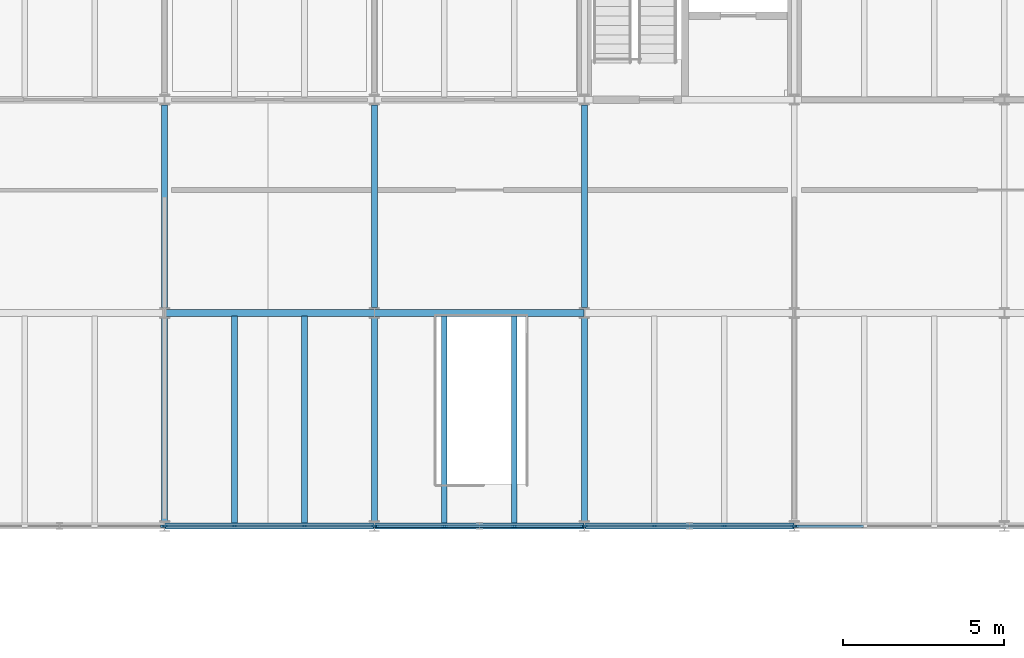
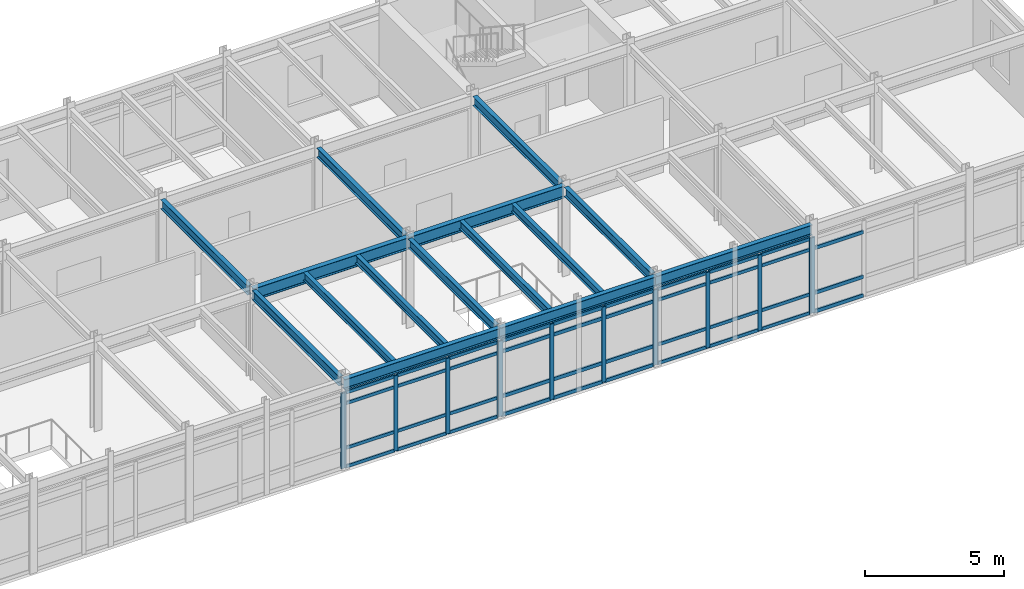
# One storey, part 80 of 144: 53 members, 15 beams, 5 elements without a shape of their own.
"""IFC4 building model written with IfcOpenShell, lengths in metres."""

from ifc_helpers import new_model, si_unit, direction, frame, origin, origin_2d, place, context, subcontext, project, spatial, rectangle, i_section, extrude, material, layer, layer_set, material_profile, profile_set, type_object, element, aggregate, save


model = new_model("IFC4")

# Units and contexts
model_context = context("Model", 3, precision=1e-05, world=origin(), true_north=direction((0.0, 1.0)))
body_context = subcontext(model_context, "Body", "Model", "MODEL_VIEW")
ifc_project = project(units=[si_unit("LENGTHUNIT", "METRE"), si_unit("AREAUNIT", "SQUARE_METRE"), si_unit("VOLUMEUNIT", "CUBIC_METRE"), si_unit("PLANEANGLEUNIT", "RADIAN"), si_unit("MASSUNIT", "GRAM", prefix="KILO")], contexts=[model_context])

# Site, building, storey
site_placement = place(None, origin())
site = spatial("IfcSite", under=ifc_project, at=site_placement, CompositionType="ELEMENT")
building_placement = place(site_placement, origin())
building = spatial("IfcBuilding", under=site, at=building_placement, Name="Trelmorton Wharf Fire Station", CompositionType="ELEMENT")
storey_placement = place(building_placement, frame((0.0, 0.0, 5.39990234375)))
storey = spatial("IfcBuildingStorey", under=building, at=storey_placement, Name="L01", CompositionType="ELEMENT", Elevation=5.39990234375)

# Beams
ifc_material_1 = material(Name="Steel Grade 350", Category="steel")
ifc_material_profile_1 = material_profile(ifc_material_1, i_section(OverallWidth=0.177978515625, OverallDepth=0.406005859375, WebThickness=0.0078125, FlangeThickness=0.0126953125, FilletRadius=0.011474609375, at=origin_2d()), Name="410UB59.7")
ifc_profile_set_1 = profile_set([ifc_material_profile_1], Name="Steel Grade 350")
beam_type_1 = type_object("IfcBeamType", Name="BM_410UB60", PredefinedType="BEAM", material=ifc_profile_set_1)
for number, where, z_axis, x_axis, name in (
    (1, (130.0, 7.95947265625, 3.72705078125), (0.0, 1.0, 0.0), (-1.0, 0.0, 0.0), "BM-L01-0646"),
    (2, (130.0, 14.5595703125, 3.72705078125), (0.0, 1.0, 0.0), (-1.0, 0.0, 0.0), "BM-L01-0647"),
    (3, (136.5, 7.95947265625, 3.72705078125), (0.0, 1.0, 0.0), (-1.0, 0.0, 0.0), "BM-L01-0652"),
    (4, (136.5, 14.5595703125, 3.72705078125), (0.0, 1.0, 0.0), (-1.0, 0.0, 0.0), "BM-L01-0653"),
    (5, (143.0, 7.95947265625, 3.72705078125), (0.0, 1.0, 0.0), (-1.0, 0.0, 0.0), "BM-L01-0658"),
    (6, (143.0, 14.5595703125, 3.72705078125), (0.0, 1.0, 0.0), (-1.0, 0.0, 0.0), "BM-L01-0659"),
):
    element("IfcBeam", number, at=place(storey_placement, frame(where, z_axis=z_axis, x_axis=x_axis)), inside=storey, type_object=beam_type_1, Name=name, PredefinedType="BEAM", context=body_context, shape_type="SweptSolid", body=[
        extrude(i_section(OverallWidth=0.177978515625, OverallDepth=0.406005859375, WebThickness=0.0078125, FlangeThickness=0.0126953125, FilletRadius=0.011474609375, at=origin_2d()), origin(), (0.0, 0.0, 1.0), 6.281005859375),
    ])
ifc_material_profile_2 = material_profile(ifc_material_1, i_section(OverallWidth=0.208984375, OverallDepth=0.528076171875, WebThickness=0.009521484375, FlangeThickness=0.01318359375, FilletRadius=0.013916015625, at=origin_2d()), Name="530UB82.0")
ifc_profile_set_2 = profile_set([ifc_material_profile_2], Name="Steel Grade 350")
beam_type_2 = type_object("IfcBeamType", Name="BM_530UB82", PredefinedType="BEAM", material=ifc_profile_set_2)
for number, where, z_axis, x_axis, name in (
    (7, (130.005859375, 14.39990234375, 3.666015625), (1.0, 0.0, 0.0), (0.0, 1.0, 0.0), "BM-L01-0429"),
    (8, (136.505859375, 14.39990234375, 3.666015625), (1.0, 0.0, 0.0), (0.0, 1.0, 0.0), "BM-L01-0430"),
):
    element("IfcBeam", number, at=place(storey_placement, frame(where, z_axis=z_axis, x_axis=x_axis)), inside=storey, type_object=beam_type_2, Name=name, PredefinedType="BEAM", context=body_context, shape_type="SweptSolid", body=[
        extrude(i_section(OverallWidth=0.208984375, OverallDepth=0.528076171875, WebThickness=0.009521484375, FlangeThickness=0.01318359375, FilletRadius=0.013916015625, at=origin_2d()), origin(), (0.0, 0.0, 1.0), 6.48828125),
    ])

# Curtain wall, members
ifc_material_2 = material(Name="Anodised aluminium AW-6063", Category="aluminium")
ifc_layer_1 = layer(ifc_material_2, 0.159912109375)
ifc_layer_set_1 = layer_set([ifc_layer_1], Name="Anodised aluminium AW-6063")
curtain_wall_type_1 = type_object("IfcCurtainWallType", Name="CW_CHIC_A", PredefinedType="USERDEFINED", material=ifc_layer_set_1)
curtain_wall_1_placement = place(storey_placement, origin())
curtain_wall_1 = element("IfcCurtainWall", 9, at=curtain_wall_1_placement, inside=storey, type_object=curtain_wall_type_1, Name="CW-V5-L01-041", ObjectType="CHICAGO BAY CURTAIN WALL", PredefinedType="USERDEFINED")
ifc_material_profile_3 = material_profile(ifc_material_2, rectangle(XDim=0.06494140625, YDim=0.159912109375, at=origin_2d()), Name="ALU-65x160")
ifc_profile_set_3 = profile_set([ifc_material_profile_3], Name="Anodised aluminium AW-6063")
member_type_1 = type_object("IfcMemberType", Name="CWM_65x160", PredefinedType="MULLION", material=ifc_profile_set_3)
member_1_placement = place(storey_placement, frame((136.465087890625, 7.800048828125, 0.0), z_axis=(0.0, 0.0, 1.0), x_axis=(0.0, -1.0, 0.0)))
member_1 = element("IfcMember", 10, at=member_1_placement, type_object=member_type_1, Name="CW1 mullion 1", PredefinedType="MULLION", context=body_context, shape_type="SweptSolid", body=[
    extrude(rectangle(XDim=0.06494140625, YDim=0.159912109375, at=origin_2d()), origin(), (0.0, 0.0, 1.0), 3.320068359375),
])
member_2_placement = place(storey_placement, frame((134.331787109375, 7.800048828125, 0.0), z_axis=(0.0, 0.0, 1.0), x_axis=(0.0, -1.0, 0.0)))
member_2 = element("IfcMember", 11, at=member_2_placement, type_object=member_type_1, Name="CW1 mullion 2", PredefinedType="MULLION", context=body_context, shape_type="SweptSolid", body=[
    extrude(rectangle(XDim=0.06494140625, YDim=0.159912109375, at=origin_2d()), origin(), (0.0, 0.0, 1.0), 3.320068359375),
])
member_3_placement = place(storey_placement, frame((132.168212890625, 7.800048828125, 0.0), z_axis=(0.0, 0.0, 1.0), x_axis=(0.0, -1.0, 0.0)))
member_3 = element("IfcMember", 12, at=member_3_placement, type_object=member_type_1, Name="CW1 mullion 3", PredefinedType="MULLION", context=body_context, shape_type="SweptSolid", body=[
    extrude(rectangle(XDim=0.06494140625, YDim=0.159912109375, at=origin_2d()), origin(), (0.0, 0.0, 1.0), 3.320068359375),
])
member_4_placement = place(storey_placement, frame((130.034912109375, 7.800048828125, 0.0), z_axis=(0.0, 0.0, 1.0), x_axis=(0.0, -1.0, 0.0)))
member_4 = element("IfcMember", 13, at=member_4_placement, type_object=member_type_1, Name="CW1 mullion 4", PredefinedType="MULLION", context=body_context, shape_type="SweptSolid", body=[
    extrude(rectangle(XDim=0.06494140625, YDim=0.159912109375, at=origin_2d()), origin(), (0.0, 0.0, 1.0), 3.320068359375),
])

curtain_wall_2_placement = place(storey_placement, origin())
curtain_wall_2 = element("IfcCurtainWall", 14, at=curtain_wall_2_placement, inside=storey, type_object=curtain_wall_type_1, Name="CW-V5-L01-043", ObjectType="CHICAGO BAY CURTAIN WALL", PredefinedType="USERDEFINED")
member_5_placement = place(storey_placement, frame((149.465087890625, 7.800048828125, 0.0), z_axis=(0.0, 0.0, 1.0), x_axis=(0.0, -1.0, 0.0)))
member_5 = element("IfcMember", 15, at=member_5_placement, type_object=member_type_1, Name="CW1 mullion 1", PredefinedType="MULLION", context=body_context, shape_type="SweptSolid", body=[
    extrude(rectangle(XDim=0.06494140625, YDim=0.159912109375, at=origin_2d()), origin(), (0.0, 0.0, 1.0), 3.320068359375),
])
member_6_placement = place(storey_placement, frame((147.331787109375, 7.800048828125, 0.0), z_axis=(0.0, 0.0, 1.0), x_axis=(0.0, -1.0, 0.0)))
member_6 = element("IfcMember", 16, at=member_6_placement, type_object=member_type_1, Name="CW1 mullion 2", PredefinedType="MULLION", context=body_context, shape_type="SweptSolid", body=[
    extrude(rectangle(XDim=0.06494140625, YDim=0.159912109375, at=origin_2d()), origin(), (0.0, 0.0, 1.0), 3.320068359375),
])
member_7_placement = place(storey_placement, frame((145.168212890625, 7.800048828125, 0.0), z_axis=(0.0, 0.0, 1.0), x_axis=(0.0, -1.0, 0.0)))
member_7 = element("IfcMember", 17, at=member_7_placement, type_object=member_type_1, Name="CW1 mullion 3", PredefinedType="MULLION", context=body_context, shape_type="SweptSolid", body=[
    extrude(rectangle(XDim=0.06494140625, YDim=0.159912109375, at=origin_2d()), origin(), (0.0, 0.0, 1.0), 3.320068359375),
])
member_8_placement = place(storey_placement, frame((143.034912109375, 7.800048828125, 0.0), z_axis=(0.0, 0.0, 1.0), x_axis=(0.0, -1.0, 0.0)))
member_8 = element("IfcMember", 18, at=member_8_placement, type_object=member_type_1, Name="CW1 mullion 4", PredefinedType="MULLION", context=body_context, shape_type="SweptSolid", body=[
    extrude(rectangle(XDim=0.06494140625, YDim=0.159912109375, at=origin_2d()), origin(), (0.0, 0.0, 1.0), 3.320068359375),
])

# Curtain wall, member
ifc_layer_2 = layer(ifc_material_2, 0.175048828125)
ifc_layer_set_2 = layer_set([ifc_layer_2], Name="Anodised aluminium AW-6063")
curtain_wall_type_2 = type_object("IfcCurtainWallType", Name="CW_CHIC_B", PredefinedType="USERDEFINED", material=ifc_layer_set_2)
curtain_wall_3_placement = place(storey_placement, origin())
curtain_wall_3 = element("IfcCurtainWall", 19, at=curtain_wall_3_placement, inside=storey, type_object=curtain_wall_type_2, Name="CW-V5-L01-040", ObjectType="CHICAGO BAY CURTAIN WALL", PredefinedType="USERDEFINED")
ifc_material_profile_4 = material_profile(ifc_material_2, rectangle(XDim=0.074951171875, YDim=0.175048828125, at=origin_2d()), Name="ALU-75x175")
ifc_profile_set_4 = profile_set([ifc_material_profile_4], Name="Anodised aluminium AW-6063")
member_type_2 = type_object("IfcMemberType", Name="CWM_75x175", PredefinedType="MULLION", material=ifc_profile_set_4)
member_9_placement = place(storey_placement, frame((129.965087890625, 7.800048828125, 0.0), z_axis=(0.0, 0.0, 1.0), x_axis=(0.0, -1.0, 0.0)))
member_9 = element("IfcMember", 20, at=member_9_placement, type_object=member_type_2, Name="CW2 mullion 1", PredefinedType="MULLION", context=body_context, shape_type="SweptSolid", body=[
    extrude(rectangle(XDim=0.074951171875, YDim=0.175048828125, at=origin_2d()), origin(), (0.0, 0.0, 1.0), 3.320068359375),
])
aggregate(curtain_wall_3, [member_9])

# Curtain wall, members
curtain_wall_4_placement = place(storey_placement, origin())
curtain_wall_4 = element("IfcCurtainWall", 21, at=curtain_wall_4_placement, inside=storey, type_object=curtain_wall_type_2, Name="CW-V5-L01-042", ObjectType="CHICAGO BAY CURTAIN WALL", PredefinedType="USERDEFINED")
member_10_placement = place(storey_placement, frame((142.965087890625, 7.800048828125, 0.0), z_axis=(0.0, 0.0, 1.0), x_axis=(0.0, -1.0, 0.0)))
member_10 = element("IfcMember", 22, at=member_10_placement, type_object=member_type_2, Name="CW2 mullion 1", PredefinedType="MULLION", context=body_context, shape_type="SweptSolid", body=[
    extrude(rectangle(XDim=0.074951171875, YDim=0.175048828125, at=origin_2d()), origin(), (0.0, 0.0, 1.0), 3.320068359375),
])
member_11_placement = place(storey_placement, frame((140.831787109375, 7.800048828125, 0.0), z_axis=(0.0, 0.0, 1.0), x_axis=(0.0, -1.0, 0.0)))
member_11 = element("IfcMember", 23, at=member_11_placement, type_object=member_type_2, Name="CW2 mullion 2", PredefinedType="MULLION", context=body_context, shape_type="SweptSolid", body=[
    extrude(rectangle(XDim=0.074951171875, YDim=0.175048828125, at=origin_2d()), origin(), (0.0, 0.0, 1.0), 3.320068359375),
])
member_12_placement = place(storey_placement, frame((138.668212890625, 7.800048828125, 0.0), z_axis=(0.0, 0.0, 1.0), x_axis=(0.0, -1.0, 0.0)))
member_12 = element("IfcMember", 24, at=member_12_placement, type_object=member_type_2, Name="CW2 mullion 3", PredefinedType="MULLION", context=body_context, shape_type="SweptSolid", body=[
    extrude(rectangle(XDim=0.074951171875, YDim=0.175048828125, at=origin_2d()), origin(), (0.0, 0.0, 1.0), 3.320068359375),
])
member_13_placement = place(storey_placement, frame((136.534912109375, 7.800048828125, 0.0), z_axis=(0.0, 0.0, 1.0), x_axis=(0.0, -1.0, 0.0)))
member_13 = element("IfcMember", 25, at=member_13_placement, type_object=member_type_2, Name="CW2 mullion 4", PredefinedType="MULLION", context=body_context, shape_type="SweptSolid", body=[
    extrude(rectangle(XDim=0.074951171875, YDim=0.175048828125, at=origin_2d()), origin(), (0.0, 0.0, 1.0), 3.320068359375),
])

# Curtain wall, member
curtain_wall_5_placement = place(storey_placement, origin())
curtain_wall_5 = element("IfcCurtainWall", 26, at=curtain_wall_5_placement, inside=storey, type_object=curtain_wall_type_2, Name="CW-V5-L01-044", ObjectType="CHICAGO BAY CURTAIN WALL", PredefinedType="USERDEFINED")
member_14_placement = place(storey_placement, frame((149.534912109375, 7.800048828125, 0.0), z_axis=(0.0, 0.0, 1.0), x_axis=(0.0, -1.0, 0.0)))
member_14 = element("IfcMember", 27, at=member_14_placement, type_object=member_type_2, Name="CW2 mullion 4", PredefinedType="MULLION", context=body_context, shape_type="SweptSolid", body=[
    extrude(rectangle(XDim=0.074951171875, YDim=0.175048828125, at=origin_2d()), origin(), (0.0, 0.0, 1.0), 3.320068359375),
])

# Member
ifc_material_profile_5 = material_profile(ifc_material_2, rectangle(XDim=0.06494140625, YDim=0.139892578125, at=origin_2d()), Name="ALU-65x140")
ifc_profile_set_5 = profile_set([ifc_material_profile_5], Name="Anodised aluminium AW-6063")
member_type_3 = type_object("IfcMemberType", Name="CWT_65x140", PredefinedType="USERDEFINED", material=ifc_profile_set_5)
member_15_placement = place(storey_placement, frame((136.43505859375, 7.800048828125, 0.030029296875), z_axis=(-1.0, 0.0, 0.0), x_axis=(0.0, -1.0, 0.0)))
member_15 = element("IfcMember", 28, at=member_15_placement, type_object=member_type_3, Name="CW1 transom 1.1", ObjectType="TRANSOM", PredefinedType="USERDEFINED", context=body_context, shape_type="SweptSolid", body=[
    extrude(rectangle(XDim=0.06494140625, YDim=0.139892578125, at=origin_2d()), origin(), (0.0, 0.0, 1.0), 2.073486328125),
])

member_16_placement = place(storey_placement, frame((136.43505859375, 7.800048828125, 0.85009765625), z_axis=(-1.0, 0.0, 0.0), x_axis=(0.0, -1.0, 0.0)))
member_16 = element("IfcMember", 29, at=member_16_placement, type_object=member_type_3, Name="CW1 transom 1.2", ObjectType="TRANSOM", PredefinedType="USERDEFINED", context=body_context, shape_type="SweptSolid", body=[
    extrude(rectangle(XDim=0.06494140625, YDim=0.139892578125, at=origin_2d()), origin(), (0.0, 0.0, 1.0), 2.073486328125),
])

member_17_placement = place(storey_placement, frame((136.43505859375, 7.800048828125, 2.820068359375), z_axis=(-1.0, 0.0, 0.0), x_axis=(0.0, -1.0, 0.0)))
member_17 = element("IfcMember", 30, at=member_17_placement, type_object=member_type_3, Name="CW1 transom 1.3", ObjectType="TRANSOM", PredefinedType="USERDEFINED", context=body_context, shape_type="SweptSolid", body=[
    extrude(rectangle(XDim=0.06494140625, YDim=0.139892578125, at=origin_2d()), origin(), (0.0, 0.0, 1.0), 2.073486328125),
])

member_18_placement = place(storey_placement, frame((136.43505859375, 7.800048828125, 3.2900390625), z_axis=(-1.0, 0.0, 0.0), x_axis=(0.0, -1.0, 0.0)))
member_18 = element("IfcMember", 31, at=member_18_placement, type_object=member_type_3, Name="CW1 transom 1.4", ObjectType="TRANSOM", PredefinedType="USERDEFINED", context=body_context, shape_type="SweptSolid", body=[
    extrude(rectangle(XDim=0.06494140625, YDim=0.139892578125, at=origin_2d()), origin(), (0.0, 0.0, 1.0), 2.073486328125),
])

member_19_placement = place(storey_placement, frame((134.3017578125, 7.800048828125, 0.030029296875), z_axis=(-1.0, 0.0, 0.0), x_axis=(0.0, -1.0, 0.0)))
member_19 = element("IfcMember", 32, at=member_19_placement, type_object=member_type_3, Name="CW1 transom 2.1", ObjectType="TRANSOM", PredefinedType="USERDEFINED", context=body_context, shape_type="SweptSolid", body=[
    extrude(rectangle(XDim=0.06494140625, YDim=0.139892578125, at=origin_2d()), origin(), (0.0, 0.0, 1.0), 2.103515625),
])

member_20_placement = place(storey_placement, frame((134.3017578125, 7.800048828125, 0.85009765625), z_axis=(-1.0, 0.0, 0.0), x_axis=(0.0, -1.0, 0.0)))
member_20 = element("IfcMember", 33, at=member_20_placement, type_object=member_type_3, Name="CW1 transom 2.2", ObjectType="TRANSOM", PredefinedType="USERDEFINED", context=body_context, shape_type="SweptSolid", body=[
    extrude(rectangle(XDim=0.06494140625, YDim=0.139892578125, at=origin_2d()), origin(), (0.0, 0.0, 1.0), 2.103515625),
])

member_21_placement = place(storey_placement, frame((134.3017578125, 7.800048828125, 2.820068359375), z_axis=(-1.0, 0.0, 0.0), x_axis=(0.0, -1.0, 0.0)))
member_21 = element("IfcMember", 34, at=member_21_placement, type_object=member_type_3, Name="CW1 transom 2.3", ObjectType="TRANSOM", PredefinedType="USERDEFINED", context=body_context, shape_type="SweptSolid", body=[
    extrude(rectangle(XDim=0.06494140625, YDim=0.139892578125, at=origin_2d()), origin(), (0.0, 0.0, 1.0), 2.103515625),
])

member_22_placement = place(storey_placement, frame((134.3017578125, 7.800048828125, 3.2900390625), z_axis=(-1.0, 0.0, 0.0), x_axis=(0.0, -1.0, 0.0)))
member_22 = element("IfcMember", 35, at=member_22_placement, type_object=member_type_3, Name="CW1 transom 2.4", ObjectType="TRANSOM", PredefinedType="USERDEFINED", context=body_context, shape_type="SweptSolid", body=[
    extrude(rectangle(XDim=0.06494140625, YDim=0.139892578125, at=origin_2d()), origin(), (0.0, 0.0, 1.0), 2.103515625),
])

member_23_placement = place(storey_placement, frame((132.138427734375, 7.800048828125, 0.030029296875), z_axis=(-1.0, 0.0, 0.0), x_axis=(0.0, -1.0, 0.0)))
member_23 = element("IfcMember", 36, at=member_23_placement, type_object=member_type_3, Name="CW1 transom 3.1", ObjectType="TRANSOM", PredefinedType="USERDEFINED", context=body_context, shape_type="SweptSolid", body=[
    extrude(rectangle(XDim=0.06494140625, YDim=0.139892578125, at=origin_2d()), origin(), (0.0, 0.0, 1.0), 2.073486328125),
])

member_24_placement = place(storey_placement, frame((132.138427734375, 7.800048828125, 0.85009765625), z_axis=(-1.0, 0.0, 0.0), x_axis=(0.0, -1.0, 0.0)))
member_24 = element("IfcMember", 37, at=member_24_placement, type_object=member_type_3, Name="CW1 transom 3.2", ObjectType="TRANSOM", PredefinedType="USERDEFINED", context=body_context, shape_type="SweptSolid", body=[
    extrude(rectangle(XDim=0.06494140625, YDim=0.139892578125, at=origin_2d()), origin(), (0.0, 0.0, 1.0), 2.073486328125),
])

member_25_placement = place(storey_placement, frame((132.138427734375, 7.800048828125, 2.820068359375), z_axis=(-1.0, 0.0, 0.0), x_axis=(0.0, -1.0, 0.0)))
member_25 = element("IfcMember", 38, at=member_25_placement, type_object=member_type_3, Name="CW1 transom 3.3", ObjectType="TRANSOM", PredefinedType="USERDEFINED", context=body_context, shape_type="SweptSolid", body=[
    extrude(rectangle(XDim=0.06494140625, YDim=0.139892578125, at=origin_2d()), origin(), (0.0, 0.0, 1.0), 2.073486328125),
])

member_26_placement = place(storey_placement, frame((132.138427734375, 7.800048828125, 3.2900390625), z_axis=(-1.0, 0.0, 0.0), x_axis=(0.0, -1.0, 0.0)))
member_26 = element("IfcMember", 39, at=member_26_placement, type_object=member_type_3, Name="CW1 transom 3.4", ObjectType="TRANSOM", PredefinedType="USERDEFINED", context=body_context, shape_type="SweptSolid", body=[
    extrude(rectangle(XDim=0.06494140625, YDim=0.139892578125, at=origin_2d()), origin(), (0.0, 0.0, 1.0), 2.073486328125),
])

aggregate(curtain_wall_1, [member_1, member_2, member_3, member_4, member_15, member_16, member_17, member_18, member_19, member_20, member_21, member_22, member_23, member_24, member_25, member_26])

member_27_placement = place(storey_placement, frame((149.43505859375, 7.800048828125, 0.030029296875), z_axis=(-1.0, 0.0, 0.0), x_axis=(0.0, -1.0, 0.0)))
member_27 = element("IfcMember", 40, at=member_27_placement, type_object=member_type_3, Name="CW1 transom 1.1", ObjectType="TRANSOM", PredefinedType="USERDEFINED", context=body_context, shape_type="SweptSolid", body=[
    extrude(rectangle(XDim=0.06494140625, YDim=0.139892578125, at=origin_2d()), origin(), (0.0, 0.0, 1.0), 2.073486328125),
])

member_28_placement = place(storey_placement, frame((149.43505859375, 7.800048828125, 0.85009765625), z_axis=(-1.0, 0.0, 0.0), x_axis=(0.0, -1.0, 0.0)))
member_28 = element("IfcMember", 41, at=member_28_placement, type_object=member_type_3, Name="CW1 transom 1.2", ObjectType="TRANSOM", PredefinedType="USERDEFINED", context=body_context, shape_type="SweptSolid", body=[
    extrude(rectangle(XDim=0.06494140625, YDim=0.139892578125, at=origin_2d()), origin(), (0.0, 0.0, 1.0), 2.073486328125),
])

member_29_placement = place(storey_placement, frame((149.43505859375, 7.800048828125, 2.820068359375), z_axis=(-1.0, 0.0, 0.0), x_axis=(0.0, -1.0, 0.0)))
member_29 = element("IfcMember", 42, at=member_29_placement, type_object=member_type_3, Name="CW1 transom 1.3", ObjectType="TRANSOM", PredefinedType="USERDEFINED", context=body_context, shape_type="SweptSolid", body=[
    extrude(rectangle(XDim=0.06494140625, YDim=0.139892578125, at=origin_2d()), origin(), (0.0, 0.0, 1.0), 2.073486328125),
])

member_30_placement = place(storey_placement, frame((149.43505859375, 7.800048828125, 3.2900390625), z_axis=(-1.0, 0.0, 0.0), x_axis=(0.0, -1.0, 0.0)))
member_30 = element("IfcMember", 43, at=member_30_placement, type_object=member_type_3, Name="CW1 transom 1.4", ObjectType="TRANSOM", PredefinedType="USERDEFINED", context=body_context, shape_type="SweptSolid", body=[
    extrude(rectangle(XDim=0.06494140625, YDim=0.139892578125, at=origin_2d()), origin(), (0.0, 0.0, 1.0), 2.073486328125),
])

member_31_placement = place(storey_placement, frame((147.3017578125, 7.800048828125, 0.030029296875), z_axis=(-1.0, 0.0, 0.0), x_axis=(0.0, -1.0, 0.0)))
member_31 = element("IfcMember", 44, at=member_31_placement, type_object=member_type_3, Name="CW1 transom 2.1", ObjectType="TRANSOM", PredefinedType="USERDEFINED", context=body_context, shape_type="SweptSolid", body=[
    extrude(rectangle(XDim=0.06494140625, YDim=0.139892578125, at=origin_2d()), origin(), (0.0, 0.0, 1.0), 2.103515625),
])

member_32_placement = place(storey_placement, frame((147.3017578125, 7.800048828125, 0.85009765625), z_axis=(-1.0, 0.0, 0.0), x_axis=(0.0, -1.0, 0.0)))
member_32 = element("IfcMember", 45, at=member_32_placement, type_object=member_type_3, Name="CW1 transom 2.2", ObjectType="TRANSOM", PredefinedType="USERDEFINED", context=body_context, shape_type="SweptSolid", body=[
    extrude(rectangle(XDim=0.06494140625, YDim=0.139892578125, at=origin_2d()), origin(), (0.0, 0.0, 1.0), 2.103515625),
])

member_33_placement = place(storey_placement, frame((147.3017578125, 7.800048828125, 2.820068359375), z_axis=(-1.0, 0.0, 0.0), x_axis=(0.0, -1.0, 0.0)))
member_33 = element("IfcMember", 46, at=member_33_placement, type_object=member_type_3, Name="CW1 transom 2.3", ObjectType="TRANSOM", PredefinedType="USERDEFINED", context=body_context, shape_type="SweptSolid", body=[
    extrude(rectangle(XDim=0.06494140625, YDim=0.139892578125, at=origin_2d()), origin(), (0.0, 0.0, 1.0), 2.103515625),
])

member_34_placement = place(storey_placement, frame((147.3017578125, 7.800048828125, 3.2900390625), z_axis=(-1.0, 0.0, 0.0), x_axis=(0.0, -1.0, 0.0)))
member_34 = element("IfcMember", 47, at=member_34_placement, type_object=member_type_3, Name="CW1 transom 2.4", ObjectType="TRANSOM", PredefinedType="USERDEFINED", context=body_context, shape_type="SweptSolid", body=[
    extrude(rectangle(XDim=0.06494140625, YDim=0.139892578125, at=origin_2d()), origin(), (0.0, 0.0, 1.0), 2.103515625),
])

member_35_placement = place(storey_placement, frame((145.138427734375, 7.800048828125, 0.030029296875), z_axis=(-1.0, 0.0, 0.0), x_axis=(0.0, -1.0, 0.0)))
member_35 = element("IfcMember", 48, at=member_35_placement, type_object=member_type_3, Name="CW1 transom 3.1", ObjectType="TRANSOM", PredefinedType="USERDEFINED", context=body_context, shape_type="SweptSolid", body=[
    extrude(rectangle(XDim=0.06494140625, YDim=0.139892578125, at=origin_2d()), origin(), (0.0, 0.0, 1.0), 2.073486328125),
])

member_36_placement = place(storey_placement, frame((145.138427734375, 7.800048828125, 0.85009765625), z_axis=(-1.0, 0.0, 0.0), x_axis=(0.0, -1.0, 0.0)))
member_36 = element("IfcMember", 49, at=member_36_placement, type_object=member_type_3, Name="CW1 transom 3.2", ObjectType="TRANSOM", PredefinedType="USERDEFINED", context=body_context, shape_type="SweptSolid", body=[
    extrude(rectangle(XDim=0.06494140625, YDim=0.139892578125, at=origin_2d()), origin(), (0.0, 0.0, 1.0), 2.073486328125),
])

member_37_placement = place(storey_placement, frame((145.138427734375, 7.800048828125, 2.820068359375), z_axis=(-1.0, 0.0, 0.0), x_axis=(0.0, -1.0, 0.0)))
member_37 = element("IfcMember", 50, at=member_37_placement, type_object=member_type_3, Name="CW1 transom 3.3", ObjectType="TRANSOM", PredefinedType="USERDEFINED", context=body_context, shape_type="SweptSolid", body=[
    extrude(rectangle(XDim=0.06494140625, YDim=0.139892578125, at=origin_2d()), origin(), (0.0, 0.0, 1.0), 2.073486328125),
])

member_38_placement = place(storey_placement, frame((145.138427734375, 7.800048828125, 3.2900390625), z_axis=(-1.0, 0.0, 0.0), x_axis=(0.0, -1.0, 0.0)))
member_38 = element("IfcMember", 51, at=member_38_placement, type_object=member_type_3, Name="CW1 transom 3.4", ObjectType="TRANSOM", PredefinedType="USERDEFINED", context=body_context, shape_type="SweptSolid", body=[
    extrude(rectangle(XDim=0.06494140625, YDim=0.139892578125, at=origin_2d()), origin(), (0.0, 0.0, 1.0), 2.073486328125),
])

aggregate(curtain_wall_2, [member_5, member_6, member_7, member_8, member_27, member_28, member_29, member_30, member_31, member_32, member_33, member_34, member_35, member_36, member_37, member_38])

ifc_material_profile_6 = material_profile(ifc_material_2, rectangle(XDim=0.074951171875, YDim=0.155029296875, at=origin_2d()), Name="ALU-75x155")
ifc_profile_set_6 = profile_set([ifc_material_profile_6], Name="Anodised aluminium AW-6063")
member_type_4 = type_object("IfcMemberType", Name="CWT_75x155", PredefinedType="USERDEFINED", material=ifc_profile_set_6)
member_39_placement = place(storey_placement, frame((142.93505859375, 7.800048828125, 0.030029296875), z_axis=(-1.0, 0.0, 0.0), x_axis=(0.0, -1.0, 0.0)))
member_39 = element("IfcMember", 52, at=member_39_placement, type_object=member_type_4, Name="CW2 transom 1.1", ObjectType="TRANSOM", PredefinedType="USERDEFINED", context=body_context, shape_type="SweptSolid", body=[
    extrude(rectangle(XDim=0.074951171875, YDim=0.155029296875, at=origin_2d()), origin(), (0.0, 0.0, 1.0), 2.073486328125),
])

member_40_placement = place(storey_placement, frame((142.93505859375, 7.800048828125, 0.85009765625), z_axis=(-1.0, 0.0, 0.0), x_axis=(0.0, -1.0, 0.0)))
member_40 = element("IfcMember", 53, at=member_40_placement, type_object=member_type_4, Name="CW2 transom 1.2", ObjectType="TRANSOM", PredefinedType="USERDEFINED", context=body_context, shape_type="SweptSolid", body=[
    extrude(rectangle(XDim=0.074951171875, YDim=0.155029296875, at=origin_2d()), origin(), (0.0, 0.0, 1.0), 2.073486328125),
])

member_41_placement = place(storey_placement, frame((142.93505859375, 7.800048828125, 2.820068359375), z_axis=(-1.0, 0.0, 0.0), x_axis=(0.0, -1.0, 0.0)))
member_41 = element("IfcMember", 54, at=member_41_placement, type_object=member_type_4, Name="CW2 transom 1.3", ObjectType="TRANSOM", PredefinedType="USERDEFINED", context=body_context, shape_type="SweptSolid", body=[
    extrude(rectangle(XDim=0.074951171875, YDim=0.155029296875, at=origin_2d()), origin(), (0.0, 0.0, 1.0), 2.073486328125),
])

member_42_placement = place(storey_placement, frame((142.93505859375, 7.800048828125, 3.2900390625), z_axis=(-1.0, 0.0, 0.0), x_axis=(0.0, -1.0, 0.0)))
member_42 = element("IfcMember", 55, at=member_42_placement, type_object=member_type_4, Name="CW2 transom 1.4", ObjectType="TRANSOM", PredefinedType="USERDEFINED", context=body_context, shape_type="SweptSolid", body=[
    extrude(rectangle(XDim=0.074951171875, YDim=0.155029296875, at=origin_2d()), origin(), (0.0, 0.0, 1.0), 2.073486328125),
])

member_43_placement = place(storey_placement, frame((140.8017578125, 7.800048828125, 0.030029296875), z_axis=(-1.0, 0.0, 0.0), x_axis=(0.0, -1.0, 0.0)))
member_43 = element("IfcMember", 56, at=member_43_placement, type_object=member_type_4, Name="CW2 transom 2.1", ObjectType="TRANSOM", PredefinedType="USERDEFINED", context=body_context, shape_type="SweptSolid", body=[
    extrude(rectangle(XDim=0.074951171875, YDim=0.155029296875, at=origin_2d()), origin(), (0.0, 0.0, 1.0), 2.103515625),
])

member_44_placement = place(storey_placement, frame((140.8017578125, 7.800048828125, 0.85009765625), z_axis=(-1.0, 0.0, 0.0), x_axis=(0.0, -1.0, 0.0)))
member_44 = element("IfcMember", 57, at=member_44_placement, type_object=member_type_4, Name="CW2 transom 2.2", ObjectType="TRANSOM", PredefinedType="USERDEFINED", context=body_context, shape_type="SweptSolid", body=[
    extrude(rectangle(XDim=0.074951171875, YDim=0.155029296875, at=origin_2d()), origin(), (0.0, 0.0, 1.0), 2.103515625),
])

member_45_placement = place(storey_placement, frame((140.8017578125, 7.800048828125, 2.820068359375), z_axis=(-1.0, 0.0, 0.0), x_axis=(0.0, -1.0, 0.0)))
member_45 = element("IfcMember", 58, at=member_45_placement, type_object=member_type_4, Name="CW2 transom 2.3", ObjectType="TRANSOM", PredefinedType="USERDEFINED", context=body_context, shape_type="SweptSolid", body=[
    extrude(rectangle(XDim=0.074951171875, YDim=0.155029296875, at=origin_2d()), origin(), (0.0, 0.0, 1.0), 2.103515625),
])

member_46_placement = place(storey_placement, frame((140.8017578125, 7.800048828125, 3.2900390625), z_axis=(-1.0, 0.0, 0.0), x_axis=(0.0, -1.0, 0.0)))
member_46 = element("IfcMember", 59, at=member_46_placement, type_object=member_type_4, Name="CW2 transom 2.4", ObjectType="TRANSOM", PredefinedType="USERDEFINED", context=body_context, shape_type="SweptSolid", body=[
    extrude(rectangle(XDim=0.074951171875, YDim=0.155029296875, at=origin_2d()), origin(), (0.0, 0.0, 1.0), 2.103515625),
])

member_47_placement = place(storey_placement, frame((138.638427734375, 7.800048828125, 0.030029296875), z_axis=(-1.0, 0.0, 0.0), x_axis=(0.0, -1.0, 0.0)))
member_47 = element("IfcMember", 60, at=member_47_placement, type_object=member_type_4, Name="CW2 transom 3.1", ObjectType="TRANSOM", PredefinedType="USERDEFINED", context=body_context, shape_type="SweptSolid", body=[
    extrude(rectangle(XDim=0.074951171875, YDim=0.155029296875, at=origin_2d()), origin(), (0.0, 0.0, 1.0), 2.073486328125),
])

member_48_placement = place(storey_placement, frame((138.638427734375, 7.800048828125, 0.85009765625), z_axis=(-1.0, 0.0, 0.0), x_axis=(0.0, -1.0, 0.0)))
member_48 = element("IfcMember", 61, at=member_48_placement, type_object=member_type_4, Name="CW2 transom 3.2", ObjectType="TRANSOM", PredefinedType="USERDEFINED", context=body_context, shape_type="SweptSolid", body=[
    extrude(rectangle(XDim=0.074951171875, YDim=0.155029296875, at=origin_2d()), origin(), (0.0, 0.0, 1.0), 2.073486328125),
])

member_49_placement = place(storey_placement, frame((138.638427734375, 7.800048828125, 2.820068359375), z_axis=(-1.0, 0.0, 0.0), x_axis=(0.0, -1.0, 0.0)))
member_49 = element("IfcMember", 62, at=member_49_placement, type_object=member_type_4, Name="CW2 transom 3.3", ObjectType="TRANSOM", PredefinedType="USERDEFINED", context=body_context, shape_type="SweptSolid", body=[
    extrude(rectangle(XDim=0.074951171875, YDim=0.155029296875, at=origin_2d()), origin(), (0.0, 0.0, 1.0), 2.073486328125),
])

member_50_placement = place(storey_placement, frame((138.638427734375, 7.800048828125, 3.2900390625), z_axis=(-1.0, 0.0, 0.0), x_axis=(0.0, -1.0, 0.0)))
member_50 = element("IfcMember", 63, at=member_50_placement, type_object=member_type_4, Name="CW2 transom 3.4", ObjectType="TRANSOM", PredefinedType="USERDEFINED", context=body_context, shape_type="SweptSolid", body=[
    extrude(rectangle(XDim=0.074951171875, YDim=0.155029296875, at=origin_2d()), origin(), (0.0, 0.0, 1.0), 2.073486328125),
])

aggregate(curtain_wall_4, [member_10, member_11, member_12, member_13, member_39, member_40, member_41, member_42, member_43, member_44, member_45, member_46, member_47, member_48, member_49, member_50])

member_51_placement = place(storey_placement, frame((151.638427734375, 7.800048828125, 0.030029296875), z_axis=(-1.0, 0.0, 0.0), x_axis=(0.0, -1.0, 0.0)))
member_51 = element("IfcMember", 64, at=member_51_placement, type_object=member_type_4, Name="CW2 transom 3.1", ObjectType="TRANSOM", PredefinedType="USERDEFINED", context=body_context, shape_type="SweptSolid", body=[
    extrude(rectangle(XDim=0.074951171875, YDim=0.155029296875, at=origin_2d()), origin(), (0.0, 0.0, 1.0), 2.073486328125),
])

member_52_placement = place(storey_placement, frame((151.638427734375, 7.800048828125, 0.85009765625), z_axis=(-1.0, 0.0, 0.0), x_axis=(0.0, -1.0, 0.0)))
member_52 = element("IfcMember", 65, at=member_52_placement, type_object=member_type_4, Name="CW2 transom 3.2", ObjectType="TRANSOM", PredefinedType="USERDEFINED", context=body_context, shape_type="SweptSolid", body=[
    extrude(rectangle(XDim=0.074951171875, YDim=0.155029296875, at=origin_2d()), origin(), (0.0, 0.0, 1.0), 2.073486328125),
])

member_53_placement = place(storey_placement, frame((151.638427734375, 7.800048828125, 2.820068359375), z_axis=(-1.0, 0.0, 0.0), x_axis=(0.0, -1.0, 0.0)))
member_53 = element("IfcMember", 66, at=member_53_placement, type_object=member_type_4, Name="CW2 transom 3.3", ObjectType="TRANSOM", PredefinedType="USERDEFINED", context=body_context, shape_type="SweptSolid", body=[
    extrude(rectangle(XDim=0.074951171875, YDim=0.155029296875, at=origin_2d()), origin(), (0.0, 0.0, 1.0), 2.073486328125),
])

aggregate(curtain_wall_5, [member_14, member_51, member_52, member_53])

# Beams
ifc_material_profile_7 = material_profile(ifc_material_1, i_section(OverallWidth=0.172119140625, OverallDepth=0.35888671875, WebThickness=0.008056640625, FlangeThickness=0.012939453125, FilletRadius=0.011474609375, at=origin_2d()), Name="360UB56.7")
ifc_profile_set_7 = profile_set([ifc_material_profile_7], Name="Steel Grade 350")
beam_type_3 = type_object("IfcBeamType", Name="JS_360UB57", PredefinedType="JOIST", material=ifc_profile_set_7)
for number, where, z_axis, x_axis, name in (
    (67, (132.166748046875, 7.889892578125, 3.75048828125), (0.0, 1.0, 0.0), (-1.0, 0.0, 0.0), "JS-L01-0181"),
    (68, (134.333251953125, 7.889892578125, 3.75048828125), (0.0, 1.0, 0.0), (-1.0, 0.0, 0.0), "JS-L01-0182"),
    (69, (138.666748046875, 7.889892578125, 3.75048828125), (0.0, 1.0, 0.0), (-1.0, 0.0, 0.0), "JS-L01-0191"),
    (70, (140.833251953125, 7.889892578125, 3.75048828125), (0.0, 1.0, 0.0), (-1.0, 0.0, 0.0), "JS-L01-0192"),
):
    element("IfcBeam", number, at=place(storey_placement, frame(where, z_axis=z_axis, x_axis=x_axis)), inside=storey, type_object=beam_type_3, Name=name, PredefinedType="JOIST", context=body_context, shape_type="SweptSolid", body=[
        extrude(i_section(OverallWidth=0.172119140625, OverallDepth=0.35888671875, WebThickness=0.008056640625, FlangeThickness=0.012939453125, FilletRadius=0.011474609375, at=origin_2d()), origin(), (0.0, 0.0, 1.0), 6.420166015625),
    ])
ifc_material_profile_8 = material_profile(ifc_material_1, i_section(OverallWidth=0.18994140625, OverallDepth=0.45703125, WebThickness=0.009033203125, FlangeThickness=0.014404296875, FilletRadius=0.011474609375, at=origin_2d()), Name="460UB74.6")
ifc_profile_set_8 = profile_set([ifc_material_profile_8], Name="Steel Grade 350")
beam_type_4 = type_object("IfcBeamType", Name="SP_460UB75", PredefinedType="SPANDREL", material=ifc_profile_set_8)
for number, where, z_axis, x_axis, name in (
    (71, (130.005859375, 7.800048828125, 3.70166015625), (1.0, 0.0, 0.0), (0.0, 1.0, 0.0), "BM-L01-0418"),
    (72, (136.505859375, 7.800048828125, 3.70166015625), (1.0, 0.0, 0.0), (0.0, 1.0, 0.0), "BM-L01-0419"),
    (73, (143.005859375, 7.800048828125, 3.70166015625), (1.0, 0.0, 0.0), (0.0, 1.0, 0.0), "BM-L01-0420"),
):
    element("IfcBeam", number, at=place(storey_placement, frame(where, z_axis=z_axis, x_axis=x_axis)), inside=storey, type_object=beam_type_4, Name=name, PredefinedType="SPANDREL", context=body_context, shape_type="SweptSolid", body=[
        extrude(i_section(OverallWidth=0.18994140625, OverallDepth=0.45703125, WebThickness=0.009033203125, FlangeThickness=0.014404296875, FilletRadius=0.011474609375, at=origin_2d()), origin(), (0.0, 0.0, 1.0), 6.48828125),
    ])

save(model, "model.ifc")
